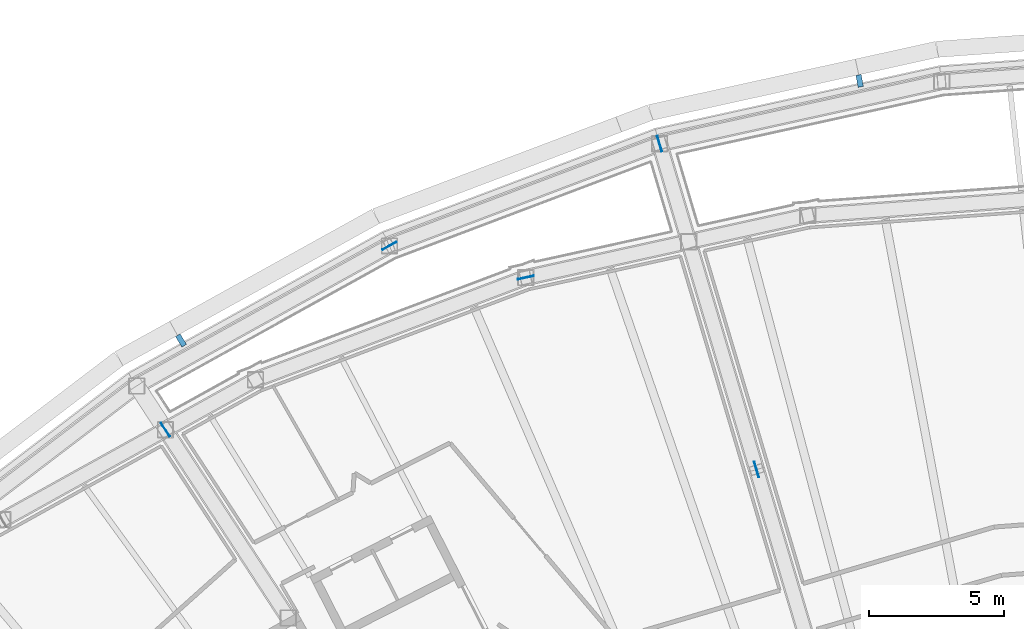
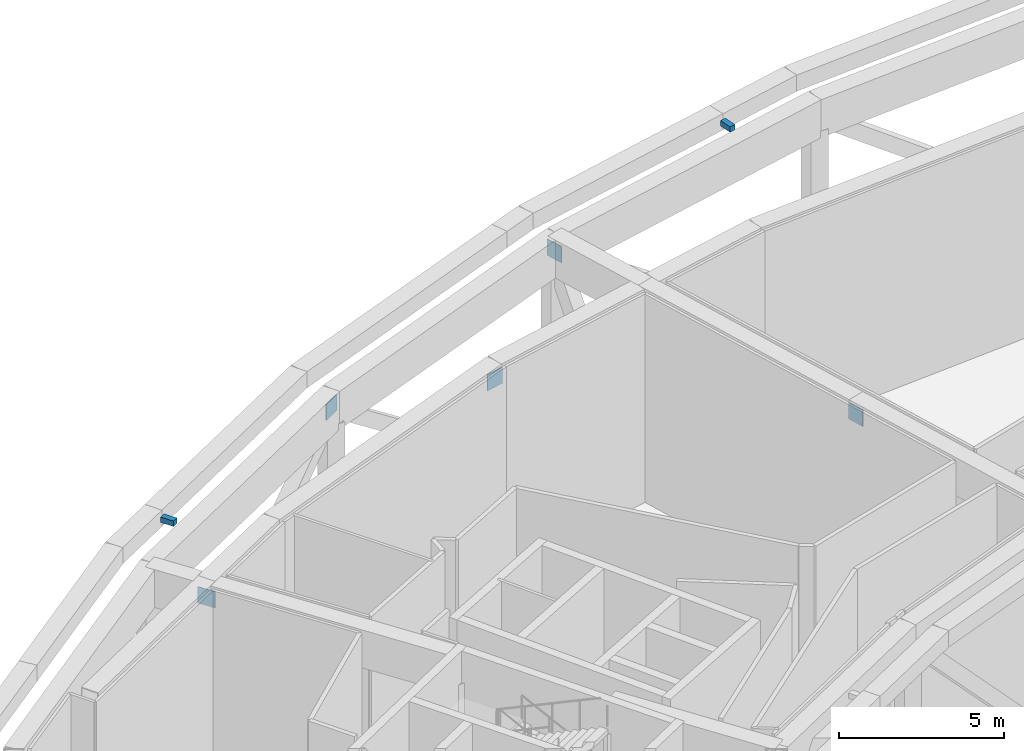
# One storey, part 17 of 27: 7 discrete accessories.
"""IFC4 building model written with IfcOpenShell, lengths in metres."""

from ifc_helpers import new_model, si_unit, direction, frame, origin, origin_2d, place, context, subcontext, project, spatial, rectangle, extrude, material, type_object, element, save


model = new_model("IFC4")

# Units and contexts
model_context = context("Model", 3, precision=1e-05, world=origin(), true_north=direction((0.0, 1.0)))
body_context = subcontext(model_context, "Body", "Model", "MODEL_VIEW")
ifc_project = project(units=[si_unit("LENGTHUNIT", "METRE"), si_unit("AREAUNIT", "SQUARE_METRE"), si_unit("VOLUMEUNIT", "CUBIC_METRE"), si_unit("PLANEANGLEUNIT", "RADIAN"), si_unit("MASSUNIT", "GRAM", prefix="KILO")], contexts=[model_context])

# Site, building, storey
site_placement = place(None, origin())
site = spatial("IfcSite", under=ifc_project, at=site_placement, CompositionType="ELEMENT")
building_placement = place(site_placement, origin())
building = spatial("IfcBuilding", under=site, at=building_placement, Name="Tuul Gate Civic Tower", CompositionType="ELEMENT")
storey_placement = place(building_placement, frame((0.0, 0.0, 201.5)))
storey = spatial("IfcBuildingStorey", under=building, at=storey_placement, Name="Wind floor 1", CompositionType="ELEMENT", Elevation=201.5)

# Discrete accessories
ifc_material_1 = material(Name="Steel S355", Category="steel")
discrete_accessory_type_1 = type_object("IfcDiscreteAccessoryType", Name="Gusset plate", PredefinedType="BRACKET", material=ifc_material_1)
for number, where, z_axis, x_axis, name in (
    (1, (-15.13916015625, 15.49658203125, 6.70361328125), (0.0, 0.0, 1.0), (0.285212112775, -0.958464423297, 0.0), "Gusset plate"),
    (2, (-11.552734375, 3.45068359375, 6.703369140625), (0.0, 0.0, 1.0), (-0.285212112775, 0.958464423297, 0.0), "Gusset plate"),
    (3, (-25.1240234375, 11.71923828125, 6.702880859375), (0.0, 0.0, 1.0), (-0.874647197225, -0.484760023503, 0.0), "Gusset plate"),
    (4, (-20.086669921875, 10.54638671875, 6.703369140625), (0.0, 0.0, 1.0), (0.976564607871, 0.215224456448, 0.0), "Gusset plate"),
    (5, (-33.406005859375, 4.924072265625, 6.7041015625), (0.0, 0.0, 1.0), (-0.546721915066, 0.837314246616, 0.0), "Gusset plate"),
):
    element("IfcDiscreteAccessory", number, at=place(storey_placement, frame(where, z_axis=z_axis, x_axis=x_axis)), inside=storey, type_object=discrete_accessory_type_1, Name=name, PredefinedType="BRACKET", context=body_context, shape_type="SweptSolid", body=[
        extrude(rectangle(XDim=0.60009765625, YDim=0.030029296875, at=origin_2d()), origin(), (0.0, 0.0, 1.0), 0.60009765625),
    ])
ifc_material_2 = material(Name="Stainless steel", Category="steel")
discrete_accessory_type_2 = type_object("IfcDiscreteAccessoryType", Name="Screen bracket", PredefinedType="BRACKET", material=ifc_material_2)
discrete_accessory_1_placement = place(storey_placement, frame((-7.741943359375, 17.81640625, 7.5498046875), z_axis=(0.0, 0.0, 1.0), x_axis=(-0.183862141473, 0.982952039996, 0.0)))
element("IfcDiscreteAccessory", 6, at=discrete_accessory_1_placement, inside=storey, type_object=discrete_accessory_type_2, Name="Screen bracket 10", PredefinedType="BRACKET", context=body_context, shape_type="SweptSolid", body=[
    extrude(rectangle(XDim=0.4501953125, YDim=0.199951171875, at=origin_2d()), origin(), (0.0, 0.0, 1.0), 0.199951171875),
])
discrete_accessory_2_placement = place(storey_placement, frame((-32.82666015625, 8.2216796875, 7.5498046875), z_axis=(0.0, 0.0, 1.0), x_axis=(-0.520753375294, 0.853707164149, 0.0)))
element("IfcDiscreteAccessory", 7, at=discrete_accessory_2_placement, inside=storey, type_object=discrete_accessory_type_2, Name="Screen bracket 13", PredefinedType="BRACKET", context=body_context, shape_type="SweptSolid", body=[
    extrude(rectangle(XDim=0.450439453125, YDim=0.199951171875, at=origin_2d()), origin(), (0.0, 0.0, 1.0), 0.199951171875),
])

save(model, "model.ifc")
